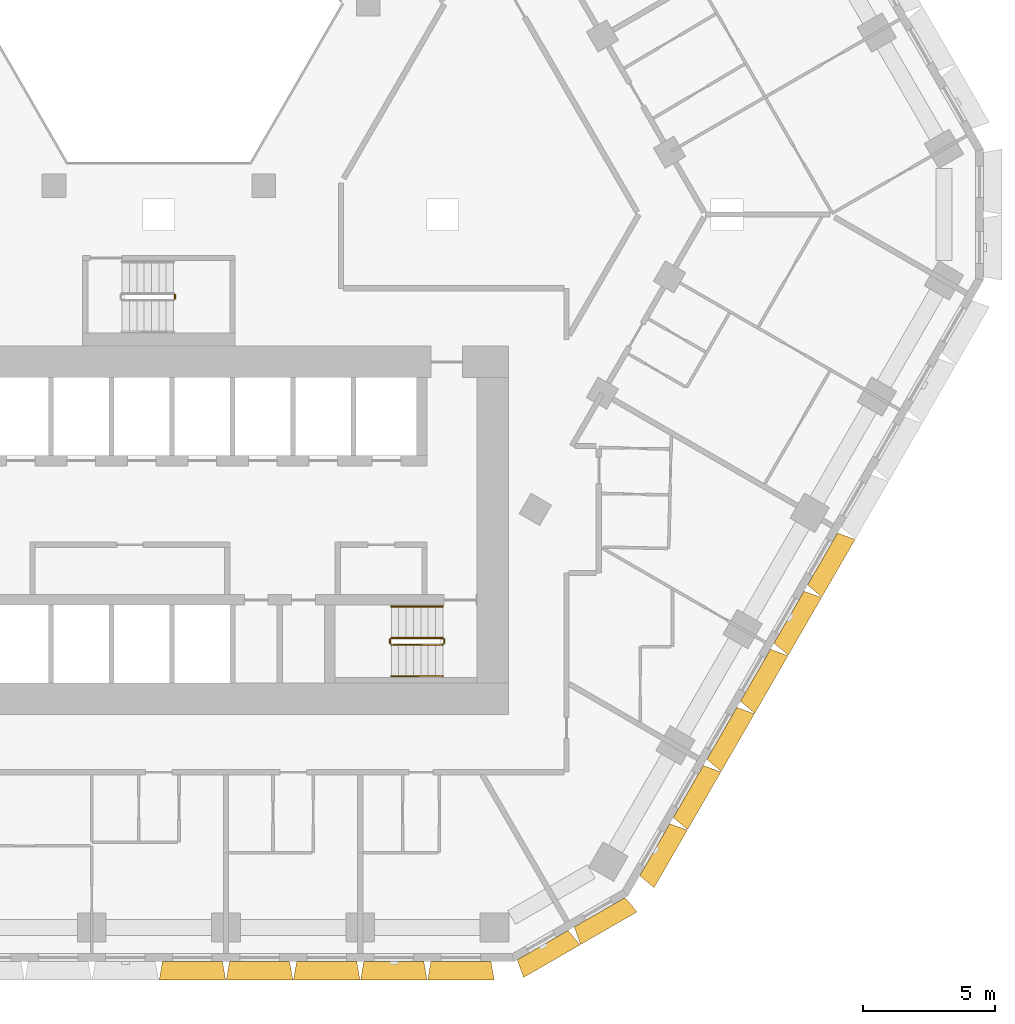
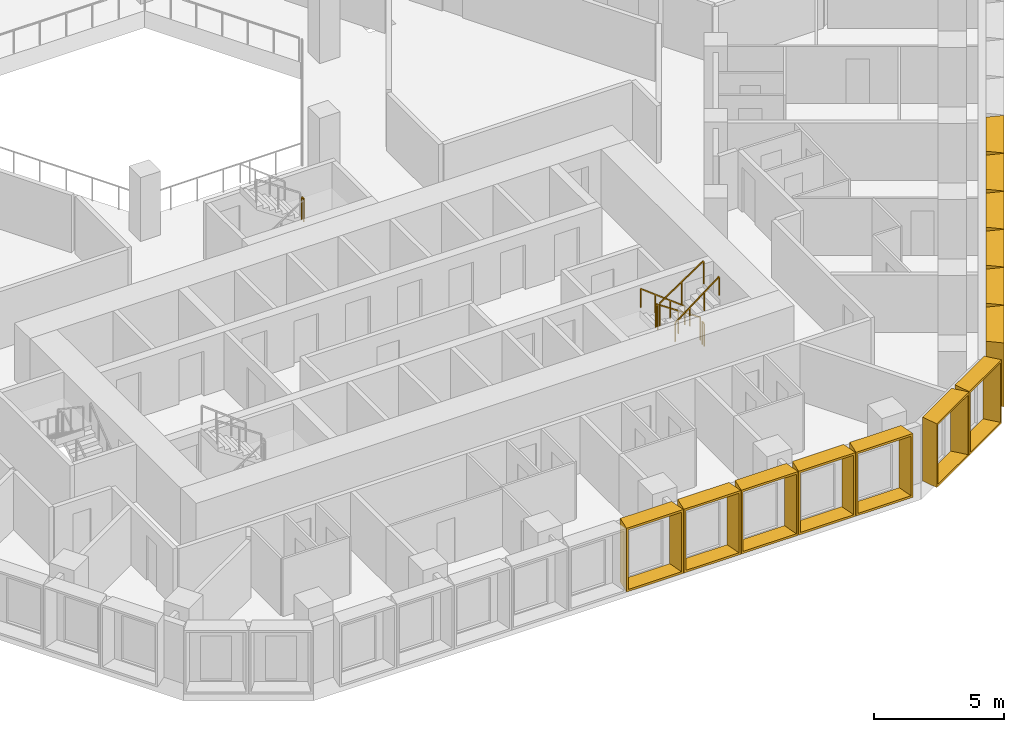
# One storey, part 20 of 21: 13 shading devices, 7 railings.
"""IFC4 building model written with IfcOpenShell, lengths in metres."""

import ifcopenshell
import ifcopenshell.guid

model = None  # the IFC model being written
_history = None  # IfcOwnerHistory: only IFC2X3 demands one
_inside = {}  # id of a spatial element -> (the spatial element, [elements in it])
_under = {}  # id of a project, library or spatial element -> (it, [spatial elements below it])
_declared = {}  # id of a project -> (the project, [libraries it declares])
_typed = {}  # id of a type object -> (the type object, [elements of that type])
_made_of = {}  # id of a material, layer set ... -> (it, [elements and type objects made of it])


def new_model(schema):
    """Start an empty IFC model of exactly this schema.

    Asked for "IFC4X3", IfcOpenShell would pick the latest addendum, in which some entities
    have other attributes; the version numbers below select the first issue.
    IFC2X3 requires an IfcOwnerHistory on every rooted entity: one is made here for all.
    """
    global model, _history
    if schema == "IFC4X3":
        model = ifcopenshell.file(schema_version=(4, 3, 0, 0))
    else:
        model = ifcopenshell.file(schema=schema)
    _inside.clear()
    _under.clear()
    _declared.clear()
    _typed.clear()
    _made_of.clear()
    _history = None
    if model.schema == "IFC2X3":
        org = make("IfcOrganization", Name="unknown")
        user = make(
            "IfcPersonAndOrganization",
            ThePerson=make("IfcPerson", FamilyName="unknown"),
            TheOrganization=org,
        )
        app = make(
            "IfcApplication",
            ApplicationDeveloper=org,
            Version="unknown",
            ApplicationFullName="unknown",
            ApplicationIdentifier="unknown",
        )
        _history = make(
            "IfcOwnerHistory",
            OwningUser=user,
            OwningApplication=app,
            ChangeAction="ADDED",
            CreationDate=0,
        )
    return model


def make(cls, **values):
    """One entity of the class cls with the attributes given. An attribute that is None is left unset."""
    return model.create_entity(
        cls, **{name: value for name, value in values.items() if value is not None}
    )


def entity(cls, *values):
    """Any entity or typed value of the class cls, its attributes in the order of the schema. None: left unset."""
    e = model.create_entity(cls)
    for i, value in enumerate(values):
        if value is not None:
            e[i] = value
    return e


def rooted(cls, **values):
    """An entity with a GlobalId (a new one), such as an element, a storey or a relation."""
    return make(cls, GlobalId=ifcopenshell.guid.new(), OwnerHistory=_history, **values)


def si_unit(unit_type, name, prefix=None):
    """IfcSIUnit, for example si_unit("LENGTHUNIT", "METRE", prefix="MILLI")."""
    return make("IfcSIUnit", UnitType=unit_type, Prefix=prefix, Name=name)


def assignment(units):
    """IfcUnitAssignment: the units of a project."""
    return None if units is None else make("IfcUnitAssignment", Units=units)


def point(xyz):
    """IfcCartesianPoint."""
    return None if xyz is None else make("IfcCartesianPoint", Coordinates=xyz)


def direction(xyz):
    """IfcDirection."""
    return None if xyz is None else make("IfcDirection", DirectionRatios=xyz)


def frame(location, z_axis=None, x_axis=None):
    """IfcAxis2Placement3D, a coordinate frame: its origin and axes. An axis left out is left unset."""
    return make(
        "IfcAxis2Placement3D",
        Location=point(location),
        Axis=direction(z_axis),
        RefDirection=direction(x_axis),
    )


def frame_2d(location, x_axis=None):
    """IfcAxis2Placement2D, a coordinate frame in the plane: its origin and x axis."""
    return make(
        "IfcAxis2Placement2D", Location=point(location), RefDirection=direction(x_axis)
    )


def origin():
    """The frame at (0, 0, 0) with its axes left unset."""
    return frame((0.0, 0.0, 0.0))


def origin_2d():
    """The frame at (0, 0) in the plane with its x axis left unset."""
    return frame_2d((0.0, 0.0))


def place(relative_to, where):
    """IfcLocalPlacement: puts the frame where relative to a parent placement (None: the world)."""
    return make(
        "IfcLocalPlacement", PlacementRelTo=relative_to, RelativePlacement=where
    )


def context(
    kind, dimensions, precision=None, world=None, true_north=None, identifier=None
):
    """IfcGeometricRepresentationContext, for example the 3D "Model" context."""
    return make(
        "IfcGeometricRepresentationContext",
        ContextIdentifier=identifier,
        ContextType=kind,
        CoordinateSpaceDimension=dimensions,
        Precision=precision,
        WorldCoordinateSystem=world,
        TrueNorth=true_north,
    )


def subcontext(parent, identifier, kind, view, scale=None):
    """IfcGeometricRepresentationSubContext, for example "Body" below "Model"."""
    return make(
        "IfcGeometricRepresentationSubContext",
        ContextIdentifier=identifier,
        ContextType=kind,
        ParentContext=parent,
        TargetScale=scale,
        TargetView=view,
    )


def project(units=None, contexts=None):
    """IfcProject with its units and contexts."""
    return rooted(
        "IfcProject",
        Name="project",
        RepresentationContexts=contexts,
        UnitsInContext=assignment(units),
    )


def spatial(cls, under=None, at=None, **own):
    """A site, building, storey or space (cls), placed at a placement, below another one or the project."""
    s = rooted(cls, ObjectPlacement=at, **own)
    if under is not None:
        _under.setdefault(under.id(), (under, []))[1].append(s)
    return s


def profile(cls, at=None, kind="AREA", **sizes):
    """A parametric profile (cls). Its sizes go by their IFC names, for example OverallWidth=200.0."""
    return make(cls, ProfileType=kind, Position=at, **sizes)


def rectangle(**sizes):
    """IfcRectangleProfileDef."""
    return profile("IfcRectangleProfileDef", **sizes)


def extrude(swept, where, along, depth):
    """IfcExtrudedAreaSolid: the profile swept, set in the frame where, extruded along a direction by depth."""
    return make(
        "IfcExtrudedAreaSolid",
        SweptArea=swept,
        Position=where,
        ExtrudedDirection=direction(along),
        Depth=depth,
    )


def shape(context_of_items, identifier, shape_type, items):
    """IfcShapeRepresentation: the items that make up one representation, for example the "Body"."""
    return make(
        "IfcShapeRepresentation",
        ContextOfItems=context_of_items,
        RepresentationIdentifier=identifier,
        RepresentationType=shape_type,
        Items=items,
    )


def source(mapping_origin, context_of_items, identifier, shape_type, items):
    """IfcRepresentationMap: a shape defined once, which mapped items show again and again."""
    return make(
        "IfcRepresentationMap",
        MappingOrigin=mapping_origin,
        MappedRepresentation=shape(context_of_items, identifier, shape_type, items),
    )


def transform(
    local_origin,
    x_axis=None,
    y_axis=None,
    z_axis=None,
    scale=None,
    scale2=None,
    scale3=None,
    uniform=True,
):
    """IfcCartesianTransformationOperator3D, or its non-uniform kind. x_axis, y_axis, z_axis: its Axis1, 2, 3."""
    if uniform:
        return make(
            "IfcCartesianTransformationOperator3D",
            Axis1=direction(x_axis),
            Axis2=direction(y_axis),
            LocalOrigin=point(local_origin),
            Scale=scale,
            Axis3=direction(z_axis),
        )
    return make(
        "IfcCartesianTransformationOperator3DnonUniform",
        Axis1=direction(x_axis),
        Axis2=direction(y_axis),
        LocalOrigin=point(local_origin),
        Scale=scale,
        Axis3=direction(z_axis),
        Scale2=scale2,
        Scale3=scale3,
    )


def mapped(mapping_source, mapping_target):
    """IfcMappedItem: shows the shape of a source again, moved by a transform."""
    return make(
        "IfcMappedItem", MappingSource=mapping_source, MappingTarget=mapping_target
    )


def material(Name=None, Category=None):
    """IfcMaterial."""
    return make("IfcMaterial", Name=Name, Category=Category)


def made_of(thing, what):
    """Note that an element or type object is made of a material, layer set ...; save() writes the relation."""
    if what is not None:
        _made_of.setdefault(what.id(), (what, []))[1].append(thing)
    return thing


def type_object(cls, material=None, **own):
    """A type object (cls), such as IfcWallType, which elements share."""
    return made_of(rooted(cls, **own), material)


def type_shapes(of_type, sources):
    """Give a type object the sources (RepresentationMaps) that its elements show as mapped items."""
    of_type.RepresentationMaps = sources


def element(
    cls,
    number,
    at=None,
    inside=None,
    cuts=None,
    type_object=None,
    material=None,
    context=None,
    identifier="Body",
    shape_type=None,
    held_by="IfcProductDefinitionShape",
    body=None,
    shapes=None,
    **own,
):
    """One element of the class cls, such as IfcWall. Its Tag is "e" and its number.

    at: its placement. inside: the storey or other place that contains it. cuts: it is an
    opening in that element (IfcRelVoidsElement). A single representation is given by context,
    identifier, shape_type and body (its items); several are given by shapes. held_by: the class
    of the entity that holds the representations. save() writes the other relations.
    """
    e = rooted(cls, Tag="e%d" % number, ObjectPlacement=at, **own)
    if body is not None:
        shapes = [shape(context, identifier, shape_type, body)]
    if shapes is not None:
        e.Representation = make(held_by, Representations=shapes)
    if inside is not None:
        _inside.setdefault(inside.id(), (inside, []))[1].append(e)
    if cuts is not None:
        rooted(
            "IfcRelVoidsElement", RelatingBuildingElement=cuts, RelatedOpeningElement=e
        )
    if type_object is not None:
        _typed.setdefault(type_object.id(), (type_object, []))[1].append(e)
    return made_of(e, material)


def aggregate(whole, parts):
    """IfcRelAggregates: a whole, such as a stair, and the parts it consists of."""
    return rooted("IfcRelAggregates", RelatingObject=whole, RelatedObjects=parts)


def save(model, path):
    """Write the relations noted so far, then the file.

    IfcRelAggregates (storeys below a building ...), IfcRelContainedInSpatialStructure (elements
    in a storey), IfcRelDefinesByType, IfcRelAssociatesMaterial and IfcRelDeclares: one each for
    every whole, place, type object, material and project.
    """
    for whole, parts in _under.values():
        aggregate(whole, parts)
    for where, things in _inside.values():
        rooted(
            "IfcRelContainedInSpatialStructure",
            RelatedElements=things,
            RelatingStructure=where,
        )
    for kind, things in _typed.values():
        rooted("IfcRelDefinesByType", RelatedObjects=things, RelatingType=kind)
    for what, things in _made_of.values():
        rooted("IfcRelAssociatesMaterial", RelatedObjects=things, RelatingMaterial=what)
    for by, libraries in _declared.values():
        rooted("IfcRelDeclares", RelatingContext=by, RelatedDefinitions=libraries)
    model.write(path)


model = new_model("IFC4")

# Units and contexts
model_context = context("Model", 3, precision=1e-05, world=origin(), true_north=direction((0.0, 1.0)))
body_context = subcontext(model_context, "Body", "Model", "MODEL_VIEW")
ifc_project = project(units=[si_unit("LENGTHUNIT", "METRE"), si_unit("AREAUNIT", "SQUARE_METRE"), si_unit("VOLUMEUNIT", "CUBIC_METRE"), si_unit("PLANEANGLEUNIT", "RADIAN"), si_unit("MASSUNIT", "GRAM", prefix="KILO")], contexts=[model_context])

# Site, building, storey
site_placement = place(None, origin())
site = spatial("IfcSite", under=ifc_project, at=site_placement, CompositionType="ELEMENT")
building_placement = place(site_placement, origin())
building = spatial("IfcBuilding", under=site, at=building_placement, Name="Beryl Residences", CompositionType="ELEMENT")
storey_placement = place(building_placement, frame((0.0, 0.0, 23.39990234375)))
storey = spatial("IfcBuildingStorey", under=building, at=storey_placement, Name="L06", CompositionType="ELEMENT", Elevation=23.39990234375)

# Shading devices
ifc_material_1 = material(Name="Aluminium pale anodised", Category="aluminium")
shading_device_type_1 = type_object("IfcShadingDeviceType", Name="FR250-70A OUTER SKIN frame 700 mm deep, splay 10/10 deg, 2500 x 3000 mm cell", PredefinedType="USERDEFINED", material=ifc_material_1)
cartesian_point_1 = entity("IfcCartesianPoint", [-1.116455078125, 0.0])
cartesian_point_2 = entity("IfcCartesianPoint", [-1.03515625, 0.10009765625])
cartesian_point_3 = entity("IfcCartesianPoint", [-1.239990234375, 0.0])
cartesian_point_4 = entity("IfcCartesianPoint", [-1.15869140625, 0.10009765625])
shared_shape_1 = source(origin(), body_context, "Body", "SweptSolid", [
    entity("IfcExtrudedAreaSolidTapered", entity("IfcArbitraryProfileDefWithVoids", "AREA", None, entity("IfcPolyline", [cartesian_point_1, entity("IfcCartesianPoint", [1.116455078125, 0.0]), entity("IfcCartesianPoint", [1.116455078125, 3.0]), entity("IfcCartesianPoint", [-1.116455078125, 3.0]), cartesian_point_1]), [entity("IfcPolyline", [cartesian_point_2, entity("IfcCartesianPoint", [1.03515625, 0.10009765625]), entity("IfcCartesianPoint", [1.03515625, 2.89990234375]), entity("IfcCartesianPoint", [-1.03515625, 2.89990234375]), cartesian_point_2])]), entity("IfcAxis2Placement3D", entity("IfcCartesianPoint", [0.0, 0.0, 0.0]), entity("IfcDirection", [0.0, 1.0, 0.0]), entity("IfcDirection", [-1.0, 0.0, 0.0])), entity("IfcDirection", [0.0, 0.0, 1.0]), 0.699951171875, entity("IfcArbitraryProfileDefWithVoids", "AREA", None, entity("IfcPolyline", [cartesian_point_3, entity("IfcCartesianPoint", [1.239990234375, 0.0]), entity("IfcCartesianPoint", [1.239990234375, 3.0]), entity("IfcCartesianPoint", [-1.239990234375, 3.0]), cartesian_point_3]), [entity("IfcPolyline", [cartesian_point_4, entity("IfcCartesianPoint", [1.15869140625, 0.10009765625]), entity("IfcCartesianPoint", [1.15869140625, 2.89990234375]), entity("IfcCartesianPoint", [-1.15869140625, 2.89990234375]), cartesian_point_4])])),
])
type_shapes(shading_device_type_1, [shared_shape_1])
for number, where, z_axis, x_axis, name in (
    (1, (14.593017578125, -27.77490234375, 0.0), (0.0, 0.0, 1.0), (-0.866025403784, -0.5, 0.0), "FR250-70A frame L06 S-SE 1"),
    (2, (16.758056640625, -26.52490234375, 0.0), (0.0, 0.0, 1.0), (-0.866025403784, -0.5, 0.0), "FR250-70A frame L06 S-SE 2"),
):
    element("IfcShadingDevice", number, at=place(storey_placement, frame(where, z_axis=z_axis, x_axis=x_axis)), inside=storey, type_object=shading_device_type_1, Name=name, ObjectType="OUTER SKIN", PredefinedType="USERDEFINED", context=body_context, shape_type="MappedRepresentation", body=[
        mapped(shared_shape_1, transform((0.0, 0.0, 0.0))),
    ])
ifc_material_2 = material(Name="Aluminium pale anodised", Category="aluminium")
shading_device_type_2 = type_object("IfcShadingDeviceType", Name="FR255-70A OUTER SKIN frame 700 mm deep, splay 10/10 deg, 2550 x 3000 mm cell", PredefinedType="USERDEFINED", material=ifc_material_2)
cartesian_point_5 = entity("IfcCartesianPoint", [-1.1416015625, 0.0])
cartesian_point_6 = entity("IfcCartesianPoint", [-1.060302734375, 0.10009765625])
cartesian_point_7 = entity("IfcCartesianPoint", [-1.264892578125, 0.0])
cartesian_point_8 = entity("IfcCartesianPoint", [-1.18359375, 0.10009765625])
shared_shape_2 = source(origin(), body_context, "Body", "SweptSolid", [
    entity("IfcExtrudedAreaSolidTapered", entity("IfcArbitraryProfileDefWithVoids", "AREA", None, entity("IfcPolyline", [cartesian_point_5, entity("IfcCartesianPoint", [1.1416015625, 0.0]), entity("IfcCartesianPoint", [1.1416015625, 3.0]), entity("IfcCartesianPoint", [-1.1416015625, 3.0]), cartesian_point_5]), [entity("IfcPolyline", [cartesian_point_6, entity("IfcCartesianPoint", [1.060302734375, 0.10009765625]), entity("IfcCartesianPoint", [1.060302734375, 2.89990234375]), entity("IfcCartesianPoint", [-1.060302734375, 2.89990234375]), cartesian_point_6])]), entity("IfcAxis2Placement3D", entity("IfcCartesianPoint", [0.0, 0.0, 0.0]), entity("IfcDirection", [0.0, 1.0, 0.0]), entity("IfcDirection", [-1.0, 0.0, 0.0])), entity("IfcDirection", [0.0, 0.0, 1.0]), 0.699951171875, entity("IfcArbitraryProfileDefWithVoids", "AREA", None, entity("IfcPolyline", [cartesian_point_7, entity("IfcCartesianPoint", [1.264892578125, 0.0]), entity("IfcCartesianPoint", [1.264892578125, 3.0]), entity("IfcCartesianPoint", [-1.264892578125, 3.0]), cartesian_point_7]), [entity("IfcPolyline", [cartesian_point_8, entity("IfcCartesianPoint", [1.18359375, 0.10009765625]), entity("IfcCartesianPoint", [1.18359375, 2.89990234375]), entity("IfcCartesianPoint", [-1.18359375, 2.89990234375]), cartesian_point_8])])),
])
type_shapes(shading_device_type_2, [shared_shape_2])
for number, where, z_axis, x_axis, name in (
    (3, (1.277099609375, -28.39990234375, 0.0), (0.0, 0.0, 1.0), (-1.0, 0.0, 0.0), "FR255-70A frame L06 S 6"),
    (4, (3.8291015625, -28.39990234375, 0.0), (0.0, 0.0, 1.0), (-1.0, 0.0, 0.0), "FR255-70A frame L06 S 7"),
    (5, (6.381103515625, -28.39990234375, 0.0), (0.0, 0.0, 1.0), (-1.0, 0.0, 0.0), "FR255-70A frame L06 S 8"),
    (6, (8.93310546875, -28.39990234375, 0.0), (0.0, 0.0, 1.0), (-1.0, 0.0, 0.0), "FR255-70A frame L06 S 9"),
    (7, (11.485107421875, -28.39990234375, 0.0), (0.0, 0.0, 1.0), (-1.0, 0.0, 0.0), "FR255-70A frame L06 S 10"),
    (8, (18.85400390625, -24.14501953125, 0.0), (0.0, 0.0, 1.0), (-0.5, -0.866025403784, 0.0), "FR255-70A frame L06 SE 1"),
    (9, (20.1298828125, -21.93505859375, 0.0), (0.0, 0.0, 1.0), (-0.5, -0.866025403784, 0.0), "FR255-70A frame L06 SE 2"),
    (10, (21.406005859375, -19.72412109375, 0.0), (0.0, 0.0, 1.0), (-0.5, -0.866025403784, 0.0), "FR255-70A frame L06 SE 3"),
    (11, (22.681884765625, -17.513916015625, 0.0), (0.0, 0.0, 1.0), (-0.5, -0.866025403784, 0.0), "FR255-70A frame L06 SE 4"),
    (12, (23.9580078125, -15.303955078125, 0.0), (0.0, 0.0, 1.0), (-0.5, -0.866025403784, 0.0), "FR255-70A frame L06 SE 5"),
    (13, (25.23291015625, -13.093994140625, 0.0), (0.0, 0.0, 1.0), (-0.5, -0.866025403784, 0.0), "FR255-70A frame L06 SE 6"),
):
    element("IfcShadingDevice", number, at=place(storey_placement, frame(where, z_axis=z_axis, x_axis=x_axis)), inside=storey, type_object=shading_device_type_2, Name=name, ObjectType="OUTER SKIN", PredefinedType="USERDEFINED", context=body_context, shape_type="MappedRepresentation", body=[
        mapped(shared_shape_2, transform((0.0, 0.0, 0.0))),
    ])

# Railings
ifc_material_3 = material(Name="Stainless steel balustrade with glass infill", Category="steel")
railing_type_1 = type_object("IfcRailingType", Name="SG1 stair guard 1100 mm", PredefinedType="GUARDRAIL", material=ifc_material_3)
railing_1_placement = place(storey_placement, frame((10.800048828125, -16.10009765625, 0.1875)))
element("IfcRailing", 14, at=railing_1_placement, inside=storey, type_object=railing_type_1, Name="L06 ST-3 stair guard 1", PredefinedType="GUARDRAIL", context=body_context, shape_type="SweptSolid", body=[
    extrude(rectangle(XDim=0.048095703125, YDim=0.048095703125, at=origin_2d()), frame((0.0, 0.0, 1.076171875), z_axis=(-0.830902050051, 0.0, 0.556418712142), x_axis=(0.0, -1.0, 0.0)), (0.0, 0.0, 1.0), 2.35888671875),
    extrude(rectangle(XDim=0.0419921875, YDim=0.0419921875, at=origin_2d()), origin(), (0.0, 0.0, 1.0), 1.052001953125),
    extrude(rectangle(XDim=0.0419921875, YDim=0.0419921875, at=origin_2d()), frame((-0.97998046875, 0.0, 0.65625)), (0.0, 0.0, 1.0), 1.052001953125),
    extrude(rectangle(XDim=0.0419921875, YDim=0.0419921875, at=origin_2d()), frame((-1.9599609375, 0.0, 1.3125)), (0.0, 0.0, 1.0), 1.052001953125),
])
railing_2_placement = place(storey_placement, frame((8.7900390625, -16.14990234375, 1.5)))
element("IfcRailing", 15, at=railing_2_placement, inside=storey, type_object=railing_type_1, Name="L06 ST-3 stair guard 2", PredefinedType="GUARDRAIL", context=body_context, shape_type="SweptSolid", body=[
    extrude(rectangle(XDim=0.048095703125, YDim=0.048095703125, at=origin_2d()), frame((0.0, 0.0, 1.076171875), z_axis=(0.0, -1.0, 0.0), x_axis=(1.0, 0.0, 0.0)), (0.0, 0.0, 1.0), 0.150146484375),
    extrude(rectangle(XDim=0.0419921875, YDim=0.0419921875, at=origin_2d()), origin(), (0.0, 0.0, 1.0), 1.052001953125),
    extrude(rectangle(XDim=0.0419921875, YDim=0.0419921875, at=origin_2d()), frame((0.0, -0.150146484375, 0.0)), (0.0, 0.0, 1.0), 1.052001953125),
])
railing_3_placement = place(storey_placement, frame((8.840087890625, -16.35009765625, 1.6875)))
element("IfcRailing", 16, at=railing_3_placement, inside=storey, type_object=railing_type_1, Name="L06 ST-3 stair guard 3", PredefinedType="GUARDRAIL", context=body_context, shape_type="SweptSolid", body=[
    extrude(rectangle(XDim=0.048095703125, YDim=0.048095703125, at=origin_2d()), frame((0.0, 0.0, 1.076171875), z_axis=(0.830902050051, 0.0, 0.556418712142), x_axis=(0.0, 1.0, 0.0)), (0.0, 0.0, 1.0), 2.35888671875),
    extrude(rectangle(XDim=0.0419921875, YDim=0.0419921875, at=origin_2d()), origin(), (0.0, 0.0, 1.0), 1.052001953125),
    extrude(rectangle(XDim=0.0419921875, YDim=0.0419921875, at=origin_2d()), frame((0.97998046875, 0.0, 0.65625)), (0.0, 0.0, 1.0), 1.052001953125),
    extrude(rectangle(XDim=0.0419921875, YDim=0.0419921875, at=origin_2d()), frame((1.9599609375, 0.0, 1.3125)), (0.0, 0.0, 1.0), 1.052001953125),
])
railing_4_placement = place(storey_placement, frame((10.85009765625, -16.14990234375, 0.0)))
element("IfcRailing", 17, at=railing_4_placement, inside=storey, type_object=railing_type_1, Name="L06 ST-3 stair guard 4", PredefinedType="GUARDRAIL", context=body_context, shape_type="SweptSolid", body=[
    extrude(rectangle(XDim=0.048095703125, YDim=0.048095703125, at=origin_2d()), frame((0.0, 0.0, 1.076171875), z_axis=(0.0, -1.0, 0.0), x_axis=(1.0, 0.0, 0.0)), (0.0, 0.0, 1.0), 0.150146484375),
    extrude(rectangle(XDim=0.0419921875, YDim=0.0419921875, at=origin_2d()), origin(), (0.0, 0.0, 1.0), 1.052001953125),
    extrude(rectangle(XDim=0.0419921875, YDim=0.0419921875, at=origin_2d()), frame((0.0, -0.150146484375, 0.0)), (0.0, 0.0, 1.0), 1.052001953125),
])
railing_5_placement = place(storey_placement, frame((0.610107421875, -3.199951171875, 1.5)))
element("IfcRailing", 18, at=railing_5_placement, inside=storey, type_object=railing_type_1, Name="L06 ST-4 stair guard 2", PredefinedType="GUARDRAIL", context=body_context, shape_type="SweptSolid", body=[
    extrude(rectangle(XDim=0.048095703125, YDim=0.048095703125, at=origin_2d()), frame((0.0, 0.0, 1.076171875), z_axis=(0.0, 1.0, 0.0), x_axis=(-1.0, 0.0, 0.0)), (0.0, 0.0, 1.0), 0.14990234375),
    extrude(rectangle(XDim=0.0419921875, YDim=0.0419921875, at=origin_2d()), origin(), (0.0, 0.0, 1.0), 1.052001953125),
    extrude(rectangle(XDim=0.0419921875, YDim=0.0419921875, at=origin_2d()), frame((0.0, 0.14990234375, 0.0)), (0.0, 0.0, 1.0), 1.052001953125),
])
ifc_material_4 = material(Name="Stainless steel handrail", Category="steel")
railing_type_2 = type_object("IfcRailingType", Name="SRL1 stair handrail 900 mm", PredefinedType="HANDRAIL", material=ifc_material_4)
railing_6_placement = place(storey_placement, frame((10.800048828125, -14.89990234375, 0.1875)))
element("IfcRailing", 19, at=railing_6_placement, inside=storey, type_object=railing_type_2, Name="L06 ST-3 stair handrail 1", PredefinedType="HANDRAIL", context=body_context, shape_type="SweptSolid", body=[
    extrude(rectangle(XDim=0.048095703125, YDim=0.048095703125, at=origin_2d()), frame((0.0, 0.0, 0.8759765625), z_axis=(-0.794121922505, 0.0, 0.607758481798), x_axis=(0.0, -1.0, 0.0)), (0.0, 0.0, 1.0), 2.468017578125),
    extrude(rectangle(XDim=0.0419921875, YDim=0.0419921875, at=origin_2d()), origin(), (0.0, 0.0, 1.0), 0.851806640625),
    extrude(rectangle(XDim=0.0419921875, YDim=0.0419921875, at=origin_2d()), frame((-0.6533203125, 0.0, 0.5)), (0.0, 0.0, 1.0), 0.851806640625),
    extrude(rectangle(XDim=0.0419921875, YDim=0.0419921875, at=origin_2d()), frame((-1.306640625, 0.0, 1.0)), (0.0, 0.0, 1.0), 0.851806640625),
    extrude(rectangle(XDim=0.0419921875, YDim=0.0419921875, at=origin_2d()), frame((-1.9599609375, 0.0, 1.5)), (0.0, 0.0, 1.0), 0.851806640625),
])
railing_7_placement = place(storey_placement, frame((8.840087890625, -17.550048828125, 1.6875)))
element("IfcRailing", 20, at=railing_7_placement, inside=storey, type_object=railing_type_2, Name="L06 ST-3 stair handrail 2", PredefinedType="HANDRAIL", context=body_context, shape_type="SweptSolid", body=[
    extrude(rectangle(XDim=0.048095703125, YDim=0.048095703125, at=origin_2d()), frame((0.0, 0.0, 0.8759765625), z_axis=(0.794121922505, 0.0, 0.607758481798), x_axis=(0.0, 1.0, 0.0)), (0.0, 0.0, 1.0), 2.468017578125),
    extrude(rectangle(XDim=0.0419921875, YDim=0.0419921875, at=origin_2d()), origin(), (0.0, 0.0, 1.0), 0.851806640625),
    extrude(rectangle(XDim=0.0419921875, YDim=0.0419921875, at=origin_2d()), frame((0.6533203125, 0.0, 0.5)), (0.0, 0.0, 1.0), 0.851806640625),
    extrude(rectangle(XDim=0.0419921875, YDim=0.0419921875, at=origin_2d()), frame((1.306640625, 0.0, 1.0)), (0.0, 0.0, 1.0), 0.851806640625),
    extrude(rectangle(XDim=0.0419921875, YDim=0.0419921875, at=origin_2d()), frame((1.9599609375, 0.0, 1.5)), (0.0, 0.0, 1.0), 0.851806640625),
])

save(model, "model.ifc")
